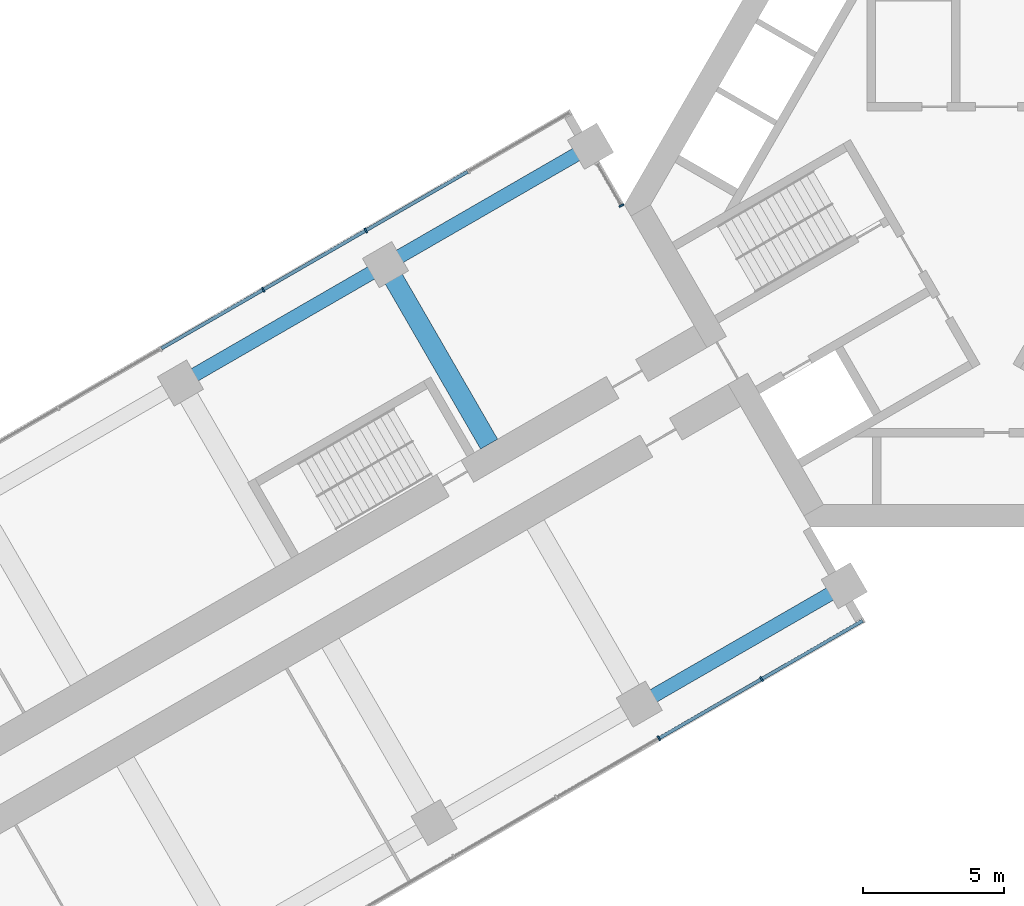
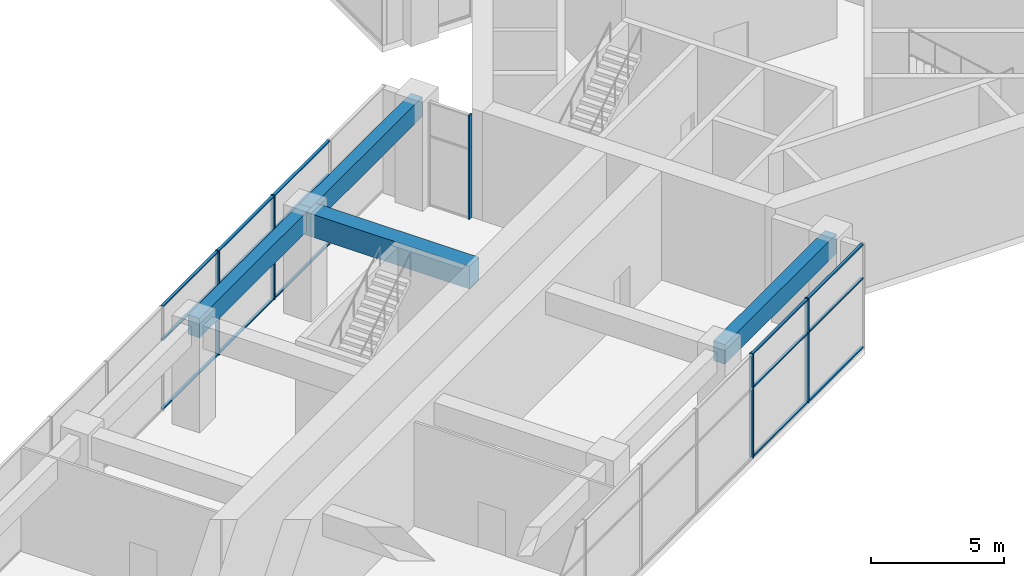
# One storey, part 4 of 20: 20 members, 4 beams, 3 elements without a shape of their own.
"""IFC4 building model written with IfcOpenShell, lengths in metres."""

from ifc_helpers import new_model, si_unit, direction, frame, origin, origin_2d, place, context, subcontext, project, spatial, rectangle, extrude, material, material_profile, profile_set, type_object, element, aggregate, save


model = new_model("IFC4")

# Units and contexts
model_context = context("Model", 3, precision=1e-05, world=origin(), true_north=direction((0.0, 1.0)))
body_context = subcontext(model_context, "Body", "Model", "MODEL_VIEW")
ifc_project = project(units=[si_unit("LENGTHUNIT", "METRE"), si_unit("AREAUNIT", "SQUARE_METRE"), si_unit("VOLUMEUNIT", "CUBIC_METRE"), si_unit("PLANEANGLEUNIT", "RADIAN"), si_unit("MASSUNIT", "GRAM", prefix="KILO")], contexts=[model_context])

# Site, building, storey
site_placement = place(None, origin())
site = spatial("IfcSite", under=ifc_project, at=site_placement, CompositionType="ELEMENT")
building_placement = place(site_placement, origin())
building = spatial("IfcBuilding", under=site, at=building_placement, Name="Impinga Residences", CompositionType="ELEMENT")
storey_placement = place(building_placement, frame((0.0, 0.0, 101.0)))
storey = spatial("IfcBuildingStorey", under=building, at=storey_placement, Name="L24", CompositionType="ELEMENT", Elevation=101.0)

# Beam
ifc_material_1 = material(Name="Concrete C60/75", Category="concrete")
ifc_material_profile_1 = material_profile(ifc_material_1, rectangle(XDim=0.699951171875, YDim=1.050048828125, at=origin_2d()), Name="RC 700x1050")
ifc_profile_set_1 = profile_set([ifc_material_profile_1], Name="Concrete C60/75")
beam_type_1 = type_object("IfcBeamType", Name="CG1 700x1050 cross girder on a wing bay line", PredefinedType="BEAM", material=ifc_profile_set_1)
beam_placement = place(storey_placement, frame((-17.99951171875, -8.48681640625, 4.2548828125), z_axis=(-0.500008066151, 0.86602074674, 0.0), x_axis=(-0.86602074674, -0.500008066151, 0.0)))
element("IfcBeam", 1, at=beam_placement, inside=storey, type_object=beam_type_1, Name="Beam CG1 W2 WC/WF level L25", PredefinedType="BEAM", context=body_context, shape_type="SweptSolid", body=[
    extrude(rectangle(XDim=0.699951171875, YDim=1.050048828125, at=origin_2d()), origin(), (0.0, 0.0, 1.0), 7.35009765625),
])

# Curtain wall, members
ifc_material_2 = material(Name="Aluminium stick curtain wall", Category="aluminium")
curtain_wall_type = type_object("IfcCurtainWallType", Name="CW2 sky amenity curtain wall", PredefinedType="USERDEFINED", material=ifc_material_2)
curtain_wall_1_placement = place(storey_placement, origin())
curtain_wall_1 = element("IfcCurtainWall", 2, at=curtain_wall_1_placement, inside=storey, type_object=curtain_wall_type, Name="Curtain wall CW2 L24", ObjectType="STICK CURTAIN WALL", PredefinedType="USERDEFINED")
ifc_material_3 = material(Name="Aluminium mullion", Category="aluminium")
ifc_material_profile_2 = material_profile(ifc_material_3, rectangle(XDim=0.06005859375, YDim=0.179931640625, at=origin_2d()), Name="60x180 mullion")
ifc_profile_set_2 = profile_set([ifc_material_profile_2], Name="Aluminium mullion")
member_type_1 = type_object("IfcMemberType", Name="CW2-M mullion 60x180", PredefinedType="MULLION", material=ifc_profile_set_2)
member_1_placement = place(storey_placement, frame((-26.011962890625, -3.009033203125, 0.0), z_axis=(0.0, 0.0, 1.0), x_axis=(0.866025407005, 0.499999994423, 0.0)))
member_1 = element("IfcMember", 3, at=member_1_placement, type_object=member_type_1, Name="CW2 mullion 6", PredefinedType="MULLION", context=body_context, shape_type="SweptSolid", body=[
    extrude(rectangle(XDim=0.06005859375, YDim=0.179931640625, at=origin_2d()), origin(), (0.0, 0.0, 1.0), 4.780029296875),
])
member_2_placement = place(storey_placement, frame((-22.37451171875, -0.9091796875, 0.0), z_axis=(0.0, 0.0, 1.0), x_axis=(0.866025407005, 0.499999994423, 0.0)))
member_2 = element("IfcMember", 4, at=member_2_placement, type_object=member_type_1, Name="CW2 mullion 7", PredefinedType="MULLION", context=body_context, shape_type="SweptSolid", body=[
    extrude(rectangle(XDim=0.06005859375, YDim=0.179931640625, at=origin_2d()), origin(), (0.0, 0.0, 1.0), 4.780029296875),
])

# Curtain wall, member
curtain_wall_2_placement = place(storey_placement, origin())
curtain_wall_2 = element("IfcCurtainWall", 5, at=curtain_wall_2_placement, inside=storey, type_object=curtain_wall_type, Name="Curtain wall CW2 L24", ObjectType="STICK CURTAIN WALL", PredefinedType="USERDEFINED")
member_3_placement = place(storey_placement, frame((-13.301513671875, -0.02392578125, 0.0), z_axis=(0.0, 0.0, 1.0), x_axis=(0.499999915809, -0.866025452392, 0.0)))
member_3 = element("IfcMember", 6, at=member_3_placement, type_object=member_type_1, Name="CW2 mullion 2", PredefinedType="MULLION", context=body_context, shape_type="SweptSolid", body=[
    extrude(rectangle(XDim=0.06005859375, YDim=0.179931640625, at=origin_2d()), origin(), (0.0, 0.0, 1.0), 4.780029296875),
])
aggregate(curtain_wall_2, [member_3])

# Curtain wall, members
curtain_wall_3_placement = place(storey_placement, origin())
curtain_wall_3 = element("IfcCurtainWall", 7, at=curtain_wall_3_placement, inside=storey, type_object=curtain_wall_type, Name="Curtain wall CW2 L24", ObjectType="STICK CURTAIN WALL", PredefinedType="USERDEFINED")
member_4_placement = place(storey_placement, frame((-8.33740234375, -16.822509765625, 0.0), z_axis=(0.0, 0.0, 1.0), x_axis=(-0.866025407005, -0.499999994423, 0.0)))
member_4 = element("IfcMember", 8, at=member_4_placement, type_object=member_type_1, Name="CW2 mullion 2", PredefinedType="MULLION", context=body_context, shape_type="SweptSolid", body=[
    extrude(rectangle(XDim=0.06005859375, YDim=0.179931640625, at=origin_2d()), origin(), (0.0, 0.0, 1.0), 4.780029296875),
])
member_5_placement = place(storey_placement, frame((-11.974609375, -18.92236328125, 0.0), z_axis=(0.0, 0.0, 1.0), x_axis=(-0.866025407005, -0.499999994423, 0.0)))
member_5 = element("IfcMember", 9, at=member_5_placement, type_object=member_type_1, Name="CW2 mullion 3", PredefinedType="MULLION", context=body_context, shape_type="SweptSolid", body=[
    extrude(rectangle(XDim=0.06005859375, YDim=0.179931640625, at=origin_2d()), origin(), (0.0, 0.0, 1.0), 4.780029296875),
])

# Member
ifc_material_4 = material(Name="Aluminium transom", Category="aluminium")
ifc_material_profile_3 = material_profile(ifc_material_4, rectangle(XDim=0.06005859375, YDim=0.1201171875, at=origin_2d()), Name="60x120 transom")
ifc_profile_set_3 = profile_set([ifc_material_profile_3], Name="Aluminium transom")
member_type_2 = type_object("IfcMemberType", Name="CW2-T transom 60x120", PredefinedType="USERDEFINED", material=ifc_profile_set_3)
member_6_placement = place(storey_placement, frame((-29.623291015625, -5.093994140625, 0.030029296875), z_axis=(0.866050071143, 0.499957272447, 0.0), x_axis=(0.0, 0.0, 1.0)))
member_6 = element("IfcMember", 10, at=member_6_placement, type_object=member_type_2, Name="CW2 transom 5.1", ObjectType="TRANSOM", PredefinedType="USERDEFINED", context=body_context, shape_type="SweptSolid", body=[
    extrude(rectangle(XDim=0.06005859375, YDim=0.1201171875, at=origin_2d()), origin(), (0.0, 0.0, 1.0), 4.139892578125),
])

member_7_placement = place(storey_placement, frame((-29.623291015625, -5.093994140625, 3.199951171875), z_axis=(0.866050071143, 0.499957272447, 0.0), x_axis=(0.0, 0.0, 1.0)))
member_7 = element("IfcMember", 11, at=member_7_placement, type_object=member_type_2, Name="CW2 transom 5.2", ObjectType="TRANSOM", PredefinedType="USERDEFINED", context=body_context, shape_type="SweptSolid", body=[
    extrude(rectangle(XDim=0.06005859375, YDim=0.1201171875, at=origin_2d()), origin(), (0.0, 0.0, 1.0), 4.139892578125),
])

member_8_placement = place(storey_placement, frame((-29.623291015625, -5.093994140625, 4.75), z_axis=(0.866050071143, 0.499957272447, 0.0), x_axis=(0.0, 0.0, 1.0)))
member_8 = element("IfcMember", 12, at=member_8_placement, type_object=member_type_2, Name="CW2 transom 5.3", ObjectType="TRANSOM", PredefinedType="USERDEFINED", context=body_context, shape_type="SweptSolid", body=[
    extrude(rectangle(XDim=0.06005859375, YDim=0.1201171875, at=origin_2d()), origin(), (0.0, 0.0, 1.0), 4.139892578125),
])

member_9_placement = place(storey_placement, frame((-25.98583984375, -2.994140625, 0.030029296875), z_axis=(0.866009793405, 0.500027036996, 0.0), x_axis=(0.0, 0.0, 1.0)))
member_9 = element("IfcMember", 13, at=member_9_placement, type_object=member_type_2, Name="CW2 transom 6.1", ObjectType="TRANSOM", PredefinedType="USERDEFINED", context=body_context, shape_type="SweptSolid", body=[
    extrude(rectangle(XDim=0.06005859375, YDim=0.1201171875, at=origin_2d()), origin(), (0.0, 0.0, 1.0), 4.139892578125),
])

member_10_placement = place(storey_placement, frame((-25.98583984375, -2.994140625, 3.199951171875), z_axis=(0.866009793405, 0.500027036996, 0.0), x_axis=(0.0, 0.0, 1.0)))
member_10 = element("IfcMember", 14, at=member_10_placement, type_object=member_type_2, Name="CW2 transom 6.2", ObjectType="TRANSOM", PredefinedType="USERDEFINED", context=body_context, shape_type="SweptSolid", body=[
    extrude(rectangle(XDim=0.06005859375, YDim=0.1201171875, at=origin_2d()), origin(), (0.0, 0.0, 1.0), 4.139892578125),
])

member_11_placement = place(storey_placement, frame((-25.98583984375, -2.994140625, 4.75), z_axis=(0.866009793405, 0.500027036996, 0.0), x_axis=(0.0, 0.0, 1.0)))
member_11 = element("IfcMember", 15, at=member_11_placement, type_object=member_type_2, Name="CW2 transom 6.3", ObjectType="TRANSOM", PredefinedType="USERDEFINED", context=body_context, shape_type="SweptSolid", body=[
    extrude(rectangle(XDim=0.06005859375, YDim=0.1201171875, at=origin_2d()), origin(), (0.0, 0.0, 1.0), 4.139892578125),
])

member_12_placement = place(storey_placement, frame((-22.3486328125, -0.89404296875, 0.030029296875), z_axis=(0.866050071143, 0.499957272447, 0.0), x_axis=(0.0, 0.0, 1.0)))
member_12 = element("IfcMember", 16, at=member_12_placement, type_object=member_type_2, Name="CW2 transom 7.1", ObjectType="TRANSOM", PredefinedType="USERDEFINED", context=body_context, shape_type="SweptSolid", body=[
    extrude(rectangle(XDim=0.06005859375, YDim=0.1201171875, at=origin_2d()), origin(), (0.0, 0.0, 1.0), 4.139892578125),
])

member_13_placement = place(storey_placement, frame((-22.3486328125, -0.89404296875, 3.199951171875), z_axis=(0.866050071143, 0.499957272447, 0.0), x_axis=(0.0, 0.0, 1.0)))
member_13 = element("IfcMember", 17, at=member_13_placement, type_object=member_type_2, Name="CW2 transom 7.2", ObjectType="TRANSOM", PredefinedType="USERDEFINED", context=body_context, shape_type="SweptSolid", body=[
    extrude(rectangle(XDim=0.06005859375, YDim=0.1201171875, at=origin_2d()), origin(), (0.0, 0.0, 1.0), 4.139892578125),
])

member_14_placement = place(storey_placement, frame((-22.3486328125, -0.89404296875, 4.75), z_axis=(0.866050071143, 0.499957272447, 0.0), x_axis=(0.0, 0.0, 1.0)))
member_14 = element("IfcMember", 18, at=member_14_placement, type_object=member_type_2, Name="CW2 transom 7.3", ObjectType="TRANSOM", PredefinedType="USERDEFINED", context=body_context, shape_type="SweptSolid", body=[
    extrude(rectangle(XDim=0.06005859375, YDim=0.1201171875, at=origin_2d()), origin(), (0.0, 0.0, 1.0), 4.139892578125),
])

aggregate(curtain_wall_1, [member_1, member_2, member_6, member_7, member_8, member_9, member_10, member_11, member_12, member_13, member_14])

member_15_placement = place(storey_placement, frame((-4.751953125, -14.75244140625, 0.030029296875), z_axis=(-0.866030279993, -0.499991554064, 0.0), x_axis=(0.0, 0.0, 1.0)))
member_15 = element("IfcMember", 19, at=member_15_placement, type_object=member_type_2, Name="CW2 transom 1.1", ObjectType="TRANSOM", PredefinedType="USERDEFINED", context=body_context, shape_type="SweptSolid", body=[
    extrude(rectangle(XDim=0.06005859375, YDim=0.1201171875, at=origin_2d()), origin(), (0.0, 0.0, 1.0), 4.10986328125),
])

member_16_placement = place(storey_placement, frame((-4.751953125, -14.75244140625, 3.199951171875), z_axis=(-0.866030279993, -0.499991554064, 0.0), x_axis=(0.0, 0.0, 1.0)))
member_16 = element("IfcMember", 20, at=member_16_placement, type_object=member_type_2, Name="CW2 transom 1.2", ObjectType="TRANSOM", PredefinedType="USERDEFINED", context=body_context, shape_type="SweptSolid", body=[
    extrude(rectangle(XDim=0.06005859375, YDim=0.1201171875, at=origin_2d()), origin(), (0.0, 0.0, 1.0), 4.10986328125),
])

member_17_placement = place(storey_placement, frame((-4.751953125, -14.75244140625, 4.75), z_axis=(-0.866030279993, -0.499991554064, 0.0), x_axis=(0.0, 0.0, 1.0)))
member_17 = element("IfcMember", 21, at=member_17_placement, type_object=member_type_2, Name="CW2 transom 1.3", ObjectType="TRANSOM", PredefinedType="USERDEFINED", context=body_context, shape_type="SweptSolid", body=[
    extrude(rectangle(XDim=0.06005859375, YDim=0.1201171875, at=origin_2d()), origin(), (0.0, 0.0, 1.0), 4.10986328125),
])

member_18_placement = place(storey_placement, frame((-8.36328125, -16.83740234375, 0.030029296875), z_axis=(-0.866024536972, -0.500001501361, 0.0), x_axis=(0.0, 0.0, 1.0)))
member_18 = element("IfcMember", 22, at=member_18_placement, type_object=member_type_2, Name="CW2 transom 2.1", ObjectType="TRANSOM", PredefinedType="USERDEFINED", context=body_context, shape_type="SweptSolid", body=[
    extrude(rectangle(XDim=0.06005859375, YDim=0.1201171875, at=origin_2d()), origin(), (0.0, 0.0, 1.0), 4.14013671875),
])

member_19_placement = place(storey_placement, frame((-8.36328125, -16.83740234375, 3.199951171875), z_axis=(-0.866024536972, -0.500001501361, 0.0), x_axis=(0.0, 0.0, 1.0)))
member_19 = element("IfcMember", 23, at=member_19_placement, type_object=member_type_2, Name="CW2 transom 2.2", ObjectType="TRANSOM", PredefinedType="USERDEFINED", context=body_context, shape_type="SweptSolid", body=[
    extrude(rectangle(XDim=0.06005859375, YDim=0.1201171875, at=origin_2d()), origin(), (0.0, 0.0, 1.0), 4.14013671875),
])

member_20_placement = place(storey_placement, frame((-8.36328125, -16.83740234375, 4.75), z_axis=(-0.866024536972, -0.500001501361, 0.0), x_axis=(0.0, 0.0, 1.0)))
member_20 = element("IfcMember", 24, at=member_20_placement, type_object=member_type_2, Name="CW2 transom 2.3", ObjectType="TRANSOM", PredefinedType="USERDEFINED", context=body_context, shape_type="SweptSolid", body=[
    extrude(rectangle(XDim=0.06005859375, YDim=0.1201171875, at=origin_2d()), origin(), (0.0, 0.0, 1.0), 4.14013671875),
])

aggregate(curtain_wall_3, [member_4, member_5, member_15, member_16, member_17, member_18, member_19, member_20])

# Beams
ifc_material_profile_4 = material_profile(ifc_material_1, rectangle(XDim=0.5, YDim=0.89990234375, at=origin_2d()), Name="RC 500x900")
ifc_profile_set_4 = profile_set([ifc_material_profile_4], Name="Concrete C60/75")
beam_type_2 = type_object("IfcBeamType", Name="SB1 500x900 perimeter spandrel beam", PredefinedType="SPANDREL", material=ifc_profile_set_4)
for number, where, z_axis, x_axis, name in (
    (25, (-5.39990234375, -13.510009765625, 4.330078125), (-0.86602925447, -0.499993330357, 0.0), (0.499993330357, -0.86602925447, 0.0), "Beam SB1 WA W1-W2 level L25"),
    (26, (-14.39990234375, 2.078369140625, 4.330078125), (-0.86602925447, -0.499993330357, 0.0), (0.499993330357, -0.86602925447, 0.0), "Beam SB1 WF W1-W2 level L25"),
    (27, (-21.674560546875, -2.12158203125, 4.330078125), (-0.86602925447, -0.499993330357, 0.0), (0.499993330357, -0.86602925447, 0.0), "Beam SB1 WF W2-W3 level L25"),
):
    element("IfcBeam", number, at=place(storey_placement, frame(where, z_axis=z_axis, x_axis=x_axis)), inside=storey, type_object=beam_type_2, Name=name, PredefinedType="SPANDREL", context=body_context, shape_type="SweptSolid", body=[
        extrude(rectangle(XDim=0.5, YDim=0.89990234375, at=origin_2d()), origin(), (0.0, 0.0, 1.0), 8.39990234375),
    ])

save(model, "model.ifc")
